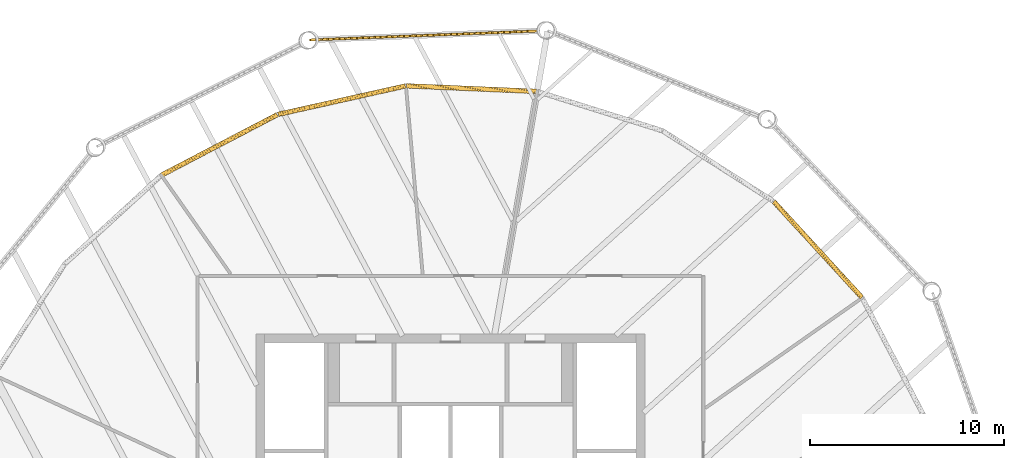
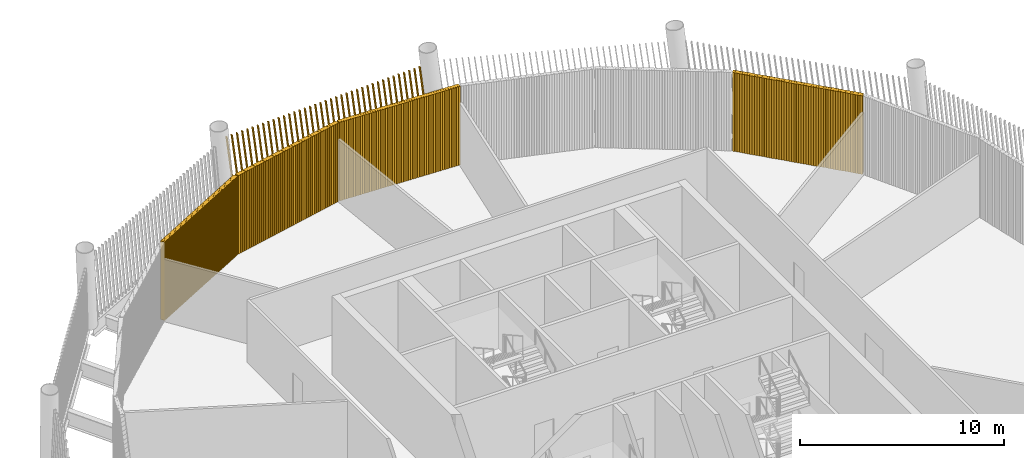
# One storey, part 17 of 21: 5 shading devices.
"""IFC4 building model written with IfcOpenShell, lengths in metres."""

from ifc_helpers import new_model, si_unit, direction, frame, frame_2d, origin, place, context, subcontext, project, spatial, rectangle, composite_profile, extrude, material, type_object, element, save


model = new_model("IFC4")

# Units and contexts
model_context = context("Model", 3, precision=1e-05, world=origin(), true_north=direction((0.0, 1.0)))
body_context = subcontext(model_context, "Body", "Model", "MODEL_VIEW")
ifc_project = project(units=[si_unit("LENGTHUNIT", "METRE"), si_unit("AREAUNIT", "SQUARE_METRE"), si_unit("VOLUMEUNIT", "CUBIC_METRE"), si_unit("PLANEANGLEUNIT", "RADIAN"), si_unit("MASSUNIT", "GRAM", prefix="KILO")], contexts=[model_context])

# Site, building, storey
site_placement = place(None, origin())
site = spatial("IfcSite", under=ifc_project, at=site_placement, CompositionType="ELEMENT")
building_placement = place(site_placement, origin())
building = spatial("IfcBuilding", under=site, at=building_placement, Name="Tarsis Ring Headquarters", CompositionType="ELEMENT")
storey_placement = place(building_placement, frame((0.0, 0.0, 398.60009765625)))
storey = spatial("IfcBuildingStorey", under=building, at=storey_placement, Name="L94", CompositionType="ELEMENT", Elevation=398.60009765625)

# Shading devices
ifc_material_1 = material(Name="Aluminium louvre", Category="aluminium")
shading_device_type_1 = type_object("IfcShadingDeviceType", Name="Plant louvre fin", PredefinedType="USERDEFINED", material=ifc_material_1)
shading_device_1_placement = place(storey_placement, frame((21.162841796875, 14.88232421875, 0.0), z_axis=(0.0, 0.0, 1.0), x_axis=(-0.676619083942, 0.736333587592, 0.0)))
element("IfcShadingDevice", 1, at=shading_device_1_placement, inside=storey, type_object=shading_device_type_1, Name="Louvre L94-21", ObjectType="Louvre", PredefinedType="USERDEFINED", context=body_context, shape_type="SweptSolid", body=[
    extrude(composite_profile([rectangle(XDim=0.1201171875, YDim=0.239990234375, at=frame_2d((0.076171875, 0.0), x_axis=(0.990268068742, 0.13917310096))), rectangle(XDim=0.1201171875, YDim=0.239990234375, at=frame_2d((0.202392578125, 0.0), x_axis=(0.990268068742, 0.13917310096))), rectangle(XDim=0.1201171875, YDim=0.239990234375, at=frame_2d((0.328857421875, 0.0), x_axis=(0.990268068742, 0.13917310096))), rectangle(XDim=0.1201171875, YDim=0.239990234375, at=frame_2d((0.455078125, 0.0), x_axis=(0.990268068742, 0.13917310096))), rectangle(XDim=0.1201171875, YDim=0.239990234375, at=frame_2d((0.58154296875, 0.0), x_axis=(0.990268068742, 0.13917310096))), rectangle(XDim=0.1201171875, YDim=0.239990234375, at=frame_2d((0.707763671875, 0.0), x_axis=(0.990268068742, 0.13917310096))), rectangle(XDim=0.1201171875, YDim=0.239990234375, at=frame_2d((0.834228515625, 0.0), x_axis=(0.990268068742, 0.13917310096))), rectangle(XDim=0.1201171875, YDim=0.239990234375, at=frame_2d((0.96044921875, 0.0), x_axis=(0.990268068742, 0.13917310096))), rectangle(XDim=0.1201171875, YDim=0.239990234375, at=frame_2d((1.0869140625, 0.0), x_axis=(0.990268068742, 0.13917310096))), rectangle(XDim=0.1201171875, YDim=0.239990234375, at=frame_2d((1.213134765625, 0.0), x_axis=(0.990268068742, 0.13917310096))), rectangle(XDim=0.1201171875, YDim=0.239990234375, at=frame_2d((1.33935546875, 0.0), x_axis=(0.990268068742, 0.13917310096))), rectangle(XDim=0.1201171875, YDim=0.239990234375, at=frame_2d((1.4658203125, 0.0), x_axis=(0.990268068742, 0.13917310096))), rectangle(XDim=0.1201171875, YDim=0.239990234375, at=frame_2d((1.592041015625, 0.0), x_axis=(0.990268068742, 0.13917310096))), rectangle(XDim=0.1201171875, YDim=0.239990234375, at=frame_2d((1.718505859375, 0.0), x_axis=(0.990268068742, 0.13917310096))), rectangle(XDim=0.1201171875, YDim=0.239990234375, at=frame_2d((1.8447265625, 0.0), x_axis=(0.990268068742, 0.13917310096))), rectangle(XDim=0.1201171875, YDim=0.239990234375, at=frame_2d((1.97119140625, 0.0), x_axis=(0.990268068742, 0.13917310096))), rectangle(XDim=0.1201171875, YDim=0.239990234375, at=frame_2d((2.097412109375, 0.0), x_axis=(0.990268068742, 0.13917310096))), rectangle(XDim=0.1201171875, YDim=0.239990234375, at=frame_2d((2.223876953125, 0.0), x_axis=(0.990268068742, 0.13917310096))), rectangle(XDim=0.1201171875, YDim=0.239990234375, at=frame_2d((2.35009765625, 0.0), x_axis=(0.990268068742, 0.13917310096))), rectangle(XDim=0.1201171875, YDim=0.239990234375, at=frame_2d((2.476318359375, 0.0), x_axis=(0.990268068742, 0.13917310096))), rectangle(XDim=0.1201171875, YDim=0.239990234375, at=frame_2d((2.602783203125, 0.0), x_axis=(0.990268068742, 0.13917310096))), rectangle(XDim=0.1201171875, YDim=0.239990234375, at=frame_2d((2.72900390625, 0.0), x_axis=(0.990268068742, 0.13917310096))), rectangle(XDim=0.1201171875, YDim=0.239990234375, at=frame_2d((2.85546875, 0.0), x_axis=(0.990268068742, 0.13917310096))), rectangle(XDim=0.1201171875, YDim=0.239990234375, at=frame_2d((2.981689453125, 0.0), x_axis=(0.990268068742, 0.13917310096))), rectangle(XDim=0.1201171875, YDim=0.239990234375, at=frame_2d((3.108154296875, 0.0), x_axis=(0.990268068742, 0.13917310096))), rectangle(XDim=0.1201171875, YDim=0.239990234375, at=frame_2d((3.234375, 0.0), x_axis=(0.990268068742, 0.13917310096))), rectangle(XDim=0.1201171875, YDim=0.239990234375, at=frame_2d((3.36083984375, 0.0), x_axis=(0.990268068742, 0.13917310096))), rectangle(XDim=0.1201171875, YDim=0.239990234375, at=frame_2d((3.487060546875, 0.0), x_axis=(0.990268068742, 0.13917310096))), rectangle(XDim=0.1201171875, YDim=0.239990234375, at=frame_2d((3.61328125, 0.0), x_axis=(0.990268068742, 0.13917310096))), rectangle(XDim=0.1201171875, YDim=0.239990234375, at=frame_2d((3.73974609375, 0.0), x_axis=(0.990268068742, 0.13917310096))), rectangle(XDim=0.1201171875, YDim=0.239990234375, at=frame_2d((3.865966796875, 0.0), x_axis=(0.990268068742, 0.13917310096))), rectangle(XDim=0.1201171875, YDim=0.239990234375, at=frame_2d((3.992431640625, 0.0), x_axis=(0.990268068742, 0.13917310096))), rectangle(XDim=0.1201171875, YDim=0.239990234375, at=frame_2d((4.11865234375, 0.0), x_axis=(0.990268068742, 0.13917310096))), rectangle(XDim=0.1201171875, YDim=0.239990234375, at=frame_2d((4.2451171875, 0.0), x_axis=(0.990268068742, 0.13917310096))), rectangle(XDim=0.1201171875, YDim=0.239990234375, at=frame_2d((4.371337890625, 0.0), x_axis=(0.990268068742, 0.13917310096))), rectangle(XDim=0.1201171875, YDim=0.239990234375, at=frame_2d((4.49755859375, 0.0), x_axis=(0.990268068742, 0.13917310096))), rectangle(XDim=0.1201171875, YDim=0.239990234375, at=frame_2d((4.6240234375, 0.0), x_axis=(0.990268068742, 0.13917310096))), rectangle(XDim=0.1201171875, YDim=0.239990234375, at=frame_2d((4.750244140625, 0.0), x_axis=(0.990268068742, 0.13917310096))), rectangle(XDim=0.1201171875, YDim=0.239990234375, at=frame_2d((4.876708984375, 0.0), x_axis=(0.990268068742, 0.13917310096))), rectangle(XDim=0.1201171875, YDim=0.239990234375, at=frame_2d((5.0029296875, 0.0), x_axis=(0.990268068742, 0.13917310096))), rectangle(XDim=0.1201171875, YDim=0.239990234375, at=frame_2d((5.12939453125, 0.0), x_axis=(0.990268068742, 0.13917310096))), rectangle(XDim=0.1201171875, YDim=0.239990234375, at=frame_2d((5.255615234375, 0.0), x_axis=(0.990268068742, 0.13917310096))), rectangle(XDim=0.1201171875, YDim=0.239990234375, at=frame_2d((5.382080078125, 0.0), x_axis=(0.990268068742, 0.13917310096))), rectangle(XDim=0.1201171875, YDim=0.239990234375, at=frame_2d((5.50830078125, 0.0), x_axis=(0.990268068742, 0.13917310096))), rectangle(XDim=0.1201171875, YDim=0.239990234375, at=frame_2d((5.634521484375, 0.0), x_axis=(0.990268068742, 0.13917310096))), rectangle(XDim=0.1201171875, YDim=0.239990234375, at=frame_2d((5.760986328125, 0.0), x_axis=(0.990268068742, 0.13917310096))), rectangle(XDim=0.1201171875, YDim=0.239990234375, at=frame_2d((5.88720703125, 0.0), x_axis=(0.990268068742, 0.13917310096))), rectangle(XDim=0.1201171875, YDim=0.239990234375, at=frame_2d((6.013671875, 0.0), x_axis=(0.990268068742, 0.13917310096))), rectangle(XDim=0.1201171875, YDim=0.239990234375, at=frame_2d((6.139892578125, 0.0), x_axis=(0.990268068742, 0.13917310096))), rectangle(XDim=0.1201171875, YDim=0.239990234375, at=frame_2d((6.266357421875, 0.0), x_axis=(0.990268068742, 0.13917310096))), rectangle(XDim=0.1201171875, YDim=0.239990234375, at=frame_2d((6.392578125, 0.0), x_axis=(0.990268068742, 0.13917310096))), rectangle(XDim=0.1201171875, YDim=0.239990234375, at=frame_2d((6.51904296875, 0.0), x_axis=(0.990268068742, 0.13917310096))), rectangle(XDim=0.1201171875, YDim=0.239990234375, at=frame_2d((6.645263671875, 0.0), x_axis=(0.990268068742, 0.13917310096)))]), origin(), (0.0, 0.0, 1.0), 4.699951171875),
])
shading_device_2_placement = place(storey_placement, frame((4.44091796875, 25.48779296875, 0.0), z_axis=(0.0, 0.0, 1.0), x_axis=(-0.999091965713, 0.042205433677, 0.0)))
element("IfcShadingDevice", 2, at=shading_device_2_placement, inside=storey, type_object=shading_device_type_1, Name="Louvre L94-24", ObjectType="Louvre", PredefinedType="USERDEFINED", context=body_context, shape_type="SweptSolid", body=[
    extrude(composite_profile([rectangle(XDim=0.1201171875, YDim=0.239990234375, at=frame_2d((0.076171875, 0.0), x_axis=(0.990268068742, 0.13917310096))), rectangle(XDim=0.1201171875, YDim=0.239990234375, at=frame_2d((0.202392578125, 0.0), x_axis=(0.990268068742, 0.13917310096))), rectangle(XDim=0.1201171875, YDim=0.239990234375, at=frame_2d((0.328857421875, 0.0), x_axis=(0.990268068742, 0.13917310096))), rectangle(XDim=0.1201171875, YDim=0.239990234375, at=frame_2d((0.455078125, 0.0), x_axis=(0.990268068742, 0.13917310096))), rectangle(XDim=0.1201171875, YDim=0.239990234375, at=frame_2d((0.58154296875, 0.0), x_axis=(0.990268068742, 0.13917310096))), rectangle(XDim=0.1201171875, YDim=0.239990234375, at=frame_2d((0.707763671875, 0.0), x_axis=(0.990268068742, 0.13917310096))), rectangle(XDim=0.1201171875, YDim=0.239990234375, at=frame_2d((0.834228515625, 0.0), x_axis=(0.990268068742, 0.13917310096))), rectangle(XDim=0.1201171875, YDim=0.239990234375, at=frame_2d((0.96044921875, 0.0), x_axis=(0.990268068742, 0.13917310096))), rectangle(XDim=0.1201171875, YDim=0.239990234375, at=frame_2d((1.0869140625, 0.0), x_axis=(0.990268068742, 0.13917310096))), rectangle(XDim=0.1201171875, YDim=0.239990234375, at=frame_2d((1.213134765625, 0.0), x_axis=(0.990268068742, 0.13917310096))), rectangle(XDim=0.1201171875, YDim=0.239990234375, at=frame_2d((1.339599609375, 0.0), x_axis=(0.990268068742, 0.13917310096))), rectangle(XDim=0.1201171875, YDim=0.239990234375, at=frame_2d((1.4658203125, 0.0), x_axis=(0.990268068742, 0.13917310096))), rectangle(XDim=0.1201171875, YDim=0.239990234375, at=frame_2d((1.59228515625, 0.0), x_axis=(0.990268068742, 0.13917310096))), rectangle(XDim=0.1201171875, YDim=0.239990234375, at=frame_2d((1.718505859375, 0.0), x_axis=(0.990268068742, 0.13917310096))), rectangle(XDim=0.1201171875, YDim=0.239990234375, at=frame_2d((1.8447265625, 0.0), x_axis=(0.990268068742, 0.13917310096))), rectangle(XDim=0.1201171875, YDim=0.239990234375, at=frame_2d((1.97119140625, 0.0), x_axis=(0.990268068742, 0.13917310096))), rectangle(XDim=0.1201171875, YDim=0.239990234375, at=frame_2d((2.097412109375, 0.0), x_axis=(0.990268068742, 0.13917310096))), rectangle(XDim=0.1201171875, YDim=0.239990234375, at=frame_2d((2.223876953125, 0.0), x_axis=(0.990268068742, 0.13917310096))), rectangle(XDim=0.1201171875, YDim=0.239990234375, at=frame_2d((2.35009765625, 0.0), x_axis=(0.990268068742, 0.13917310096))), rectangle(XDim=0.1201171875, YDim=0.239990234375, at=frame_2d((2.4765625, 0.0), x_axis=(0.990268068742, 0.13917310096))), rectangle(XDim=0.1201171875, YDim=0.239990234375, at=frame_2d((2.602783203125, 0.0), x_axis=(0.990268068742, 0.13917310096))), rectangle(XDim=0.1201171875, YDim=0.239990234375, at=frame_2d((2.729248046875, 0.0), x_axis=(0.990268068742, 0.13917310096))), rectangle(XDim=0.1201171875, YDim=0.239990234375, at=frame_2d((2.85546875, 0.0), x_axis=(0.990268068742, 0.13917310096))), rectangle(XDim=0.1201171875, YDim=0.239990234375, at=frame_2d((2.98193359375, 0.0), x_axis=(0.990268068742, 0.13917310096))), rectangle(XDim=0.1201171875, YDim=0.239990234375, at=frame_2d((3.108154296875, 0.0), x_axis=(0.990268068742, 0.13917310096))), rectangle(XDim=0.1201171875, YDim=0.239990234375, at=frame_2d((3.234619140625, 0.0), x_axis=(0.990268068742, 0.13917310096))), rectangle(XDim=0.1201171875, YDim=0.239990234375, at=frame_2d((3.36083984375, 0.0), x_axis=(0.990268068742, 0.13917310096))), rectangle(XDim=0.1201171875, YDim=0.239990234375, at=frame_2d((3.487060546875, 0.0), x_axis=(0.990268068742, 0.13917310096))), rectangle(XDim=0.1201171875, YDim=0.239990234375, at=frame_2d((3.613525390625, 0.0), x_axis=(0.990268068742, 0.13917310096))), rectangle(XDim=0.1201171875, YDim=0.239990234375, at=frame_2d((3.73974609375, 0.0), x_axis=(0.990268068742, 0.13917310096))), rectangle(XDim=0.1201171875, YDim=0.239990234375, at=frame_2d((3.8662109375, 0.0), x_axis=(0.990268068742, 0.13917310096))), rectangle(XDim=0.1201171875, YDim=0.239990234375, at=frame_2d((3.992431640625, 0.0), x_axis=(0.990268068742, 0.13917310096))), rectangle(XDim=0.1201171875, YDim=0.239990234375, at=frame_2d((4.118896484375, 0.0), x_axis=(0.990268068742, 0.13917310096))), rectangle(XDim=0.1201171875, YDim=0.239990234375, at=frame_2d((4.2451171875, 0.0), x_axis=(0.990268068742, 0.13917310096))), rectangle(XDim=0.1201171875, YDim=0.239990234375, at=frame_2d((4.37158203125, 0.0), x_axis=(0.990268068742, 0.13917310096))), rectangle(XDim=0.1201171875, YDim=0.239990234375, at=frame_2d((4.497802734375, 0.0), x_axis=(0.990268068742, 0.13917310096))), rectangle(XDim=0.1201171875, YDim=0.239990234375, at=frame_2d((4.624267578125, 0.0), x_axis=(0.990268068742, 0.13917310096))), rectangle(XDim=0.1201171875, YDim=0.239990234375, at=frame_2d((4.75048828125, 0.0), x_axis=(0.990268068742, 0.13917310096))), rectangle(XDim=0.1201171875, YDim=0.239990234375, at=frame_2d((4.876953125, 0.0), x_axis=(0.990268068742, 0.13917310096))), rectangle(XDim=0.1201171875, YDim=0.239990234375, at=frame_2d((5.003173828125, 0.0), x_axis=(0.990268068742, 0.13917310096))), rectangle(XDim=0.1201171875, YDim=0.239990234375, at=frame_2d((5.12939453125, 0.0), x_axis=(0.990268068742, 0.13917310096))), rectangle(XDim=0.1201171875, YDim=0.239990234375, at=frame_2d((5.255859375, 0.0), x_axis=(0.990268068742, 0.13917310096))), rectangle(XDim=0.1201171875, YDim=0.239990234375, at=frame_2d((5.382080078125, 0.0), x_axis=(0.990268068742, 0.13917310096))), rectangle(XDim=0.1201171875, YDim=0.239990234375, at=frame_2d((5.508544921875, 0.0), x_axis=(0.990268068742, 0.13917310096))), rectangle(XDim=0.1201171875, YDim=0.239990234375, at=frame_2d((5.634765625, 0.0), x_axis=(0.990268068742, 0.13917310096))), rectangle(XDim=0.1201171875, YDim=0.239990234375, at=frame_2d((5.76123046875, 0.0), x_axis=(0.990268068742, 0.13917310096))), rectangle(XDim=0.1201171875, YDim=0.239990234375, at=frame_2d((5.887451171875, 0.0), x_axis=(0.990268068742, 0.13917310096))), rectangle(XDim=0.1201171875, YDim=0.239990234375, at=frame_2d((6.013916015625, 0.0), x_axis=(0.990268068742, 0.13917310096))), rectangle(XDim=0.1201171875, YDim=0.239990234375, at=frame_2d((6.14013671875, 0.0), x_axis=(0.990268068742, 0.13917310096))), rectangle(XDim=0.1201171875, YDim=0.239990234375, at=frame_2d((6.2666015625, 0.0), x_axis=(0.990268068742, 0.13917310096))), rectangle(XDim=0.1201171875, YDim=0.239990234375, at=frame_2d((6.392822265625, 0.0), x_axis=(0.990268068742, 0.13917310096))), rectangle(XDim=0.1201171875, YDim=0.239990234375, at=frame_2d((6.519287109375, 0.0), x_axis=(0.990268068742, 0.13917310096))), rectangle(XDim=0.1201171875, YDim=0.239990234375, at=frame_2d((6.6455078125, 0.0), x_axis=(0.990268068742, 0.13917310096)))]), origin(), (0.0, 0.0, 1.0), 4.699951171875),
])
shading_device_3_placement = place(storey_placement, frame((-2.30712890625, 25.768798828125, 0.0), z_axis=(0.0, 0.0, 1.0), x_axis=(-0.975990701391, -0.217827176637, 0.0)))
element("IfcShadingDevice", 3, at=shading_device_3_placement, inside=storey, type_object=shading_device_type_1, Name="Louvre L94-25", ObjectType="Louvre", PredefinedType="USERDEFINED", context=body_context, shape_type="SweptSolid", body=[
    extrude(composite_profile([rectangle(XDim=0.1201171875, YDim=0.239990234375, at=frame_2d((0.076171875, 0.0), x_axis=(0.990268068742, 0.13917310096))), rectangle(XDim=0.1201171875, YDim=0.239990234375, at=frame_2d((0.202392578125, 0.0), x_axis=(0.990268068742, 0.13917310096))), rectangle(XDim=0.1201171875, YDim=0.239990234375, at=frame_2d((0.328857421875, 0.0), x_axis=(0.990268068742, 0.13917310096))), rectangle(XDim=0.1201171875, YDim=0.239990234375, at=frame_2d((0.455078125, 0.0), x_axis=(0.990268068742, 0.13917310096))), rectangle(XDim=0.1201171875, YDim=0.239990234375, at=frame_2d((0.58154296875, 0.0), x_axis=(0.990268068742, 0.13917310096))), rectangle(XDim=0.1201171875, YDim=0.239990234375, at=frame_2d((0.707763671875, 0.0), x_axis=(0.990268068742, 0.13917310096))), rectangle(XDim=0.1201171875, YDim=0.239990234375, at=frame_2d((0.834228515625, 0.0), x_axis=(0.990268068742, 0.13917310096))), rectangle(XDim=0.1201171875, YDim=0.239990234375, at=frame_2d((0.96044921875, 0.0), x_axis=(0.990268068742, 0.13917310096))), rectangle(XDim=0.1201171875, YDim=0.239990234375, at=frame_2d((1.0869140625, 0.0), x_axis=(0.990268068742, 0.13917310096))), rectangle(XDim=0.1201171875, YDim=0.239990234375, at=frame_2d((1.213134765625, 0.0), x_axis=(0.990268068742, 0.13917310096))), rectangle(XDim=0.1201171875, YDim=0.239990234375, at=frame_2d((1.33935546875, 0.0), x_axis=(0.990268068742, 0.13917310096))), rectangle(XDim=0.1201171875, YDim=0.239990234375, at=frame_2d((1.4658203125, 0.0), x_axis=(0.990268068742, 0.13917310096))), rectangle(XDim=0.1201171875, YDim=0.239990234375, at=frame_2d((1.592041015625, 0.0), x_axis=(0.990268068742, 0.13917310096))), rectangle(XDim=0.1201171875, YDim=0.239990234375, at=frame_2d((1.718505859375, 0.0), x_axis=(0.990268068742, 0.13917310096))), rectangle(XDim=0.1201171875, YDim=0.239990234375, at=frame_2d((1.8447265625, 0.0), x_axis=(0.990268068742, 0.13917310096))), rectangle(XDim=0.1201171875, YDim=0.239990234375, at=frame_2d((1.97119140625, 0.0), x_axis=(0.990268068742, 0.13917310096))), rectangle(XDim=0.1201171875, YDim=0.239990234375, at=frame_2d((2.097412109375, 0.0), x_axis=(0.990268068742, 0.13917310096))), rectangle(XDim=0.1201171875, YDim=0.239990234375, at=frame_2d((2.223876953125, 0.0), x_axis=(0.990268068742, 0.13917310096))), rectangle(XDim=0.1201171875, YDim=0.239990234375, at=frame_2d((2.35009765625, 0.0), x_axis=(0.990268068742, 0.13917310096))), rectangle(XDim=0.1201171875, YDim=0.239990234375, at=frame_2d((2.476318359375, 0.0), x_axis=(0.990268068742, 0.13917310096))), rectangle(XDim=0.1201171875, YDim=0.239990234375, at=frame_2d((2.602783203125, 0.0), x_axis=(0.990268068742, 0.13917310096))), rectangle(XDim=0.1201171875, YDim=0.239990234375, at=frame_2d((2.72900390625, 0.0), x_axis=(0.990268068742, 0.13917310096))), rectangle(XDim=0.1201171875, YDim=0.239990234375, at=frame_2d((2.85546875, 0.0), x_axis=(0.990268068742, 0.13917310096))), rectangle(XDim=0.1201171875, YDim=0.239990234375, at=frame_2d((2.981689453125, 0.0), x_axis=(0.990268068742, 0.13917310096))), rectangle(XDim=0.1201171875, YDim=0.239990234375, at=frame_2d((3.108154296875, 0.0), x_axis=(0.990268068742, 0.13917310096))), rectangle(XDim=0.1201171875, YDim=0.239990234375, at=frame_2d((3.234375, 0.0), x_axis=(0.990268068742, 0.13917310096))), rectangle(XDim=0.1201171875, YDim=0.239990234375, at=frame_2d((3.36083984375, 0.0), x_axis=(0.990268068742, 0.13917310096))), rectangle(XDim=0.1201171875, YDim=0.239990234375, at=frame_2d((3.487060546875, 0.0), x_axis=(0.990268068742, 0.13917310096))), rectangle(XDim=0.1201171875, YDim=0.239990234375, at=frame_2d((3.61328125, 0.0), x_axis=(0.990268068742, 0.13917310096))), rectangle(XDim=0.1201171875, YDim=0.239990234375, at=frame_2d((3.73974609375, 0.0), x_axis=(0.990268068742, 0.13917310096))), rectangle(XDim=0.1201171875, YDim=0.239990234375, at=frame_2d((3.865966796875, 0.0), x_axis=(0.990268068742, 0.13917310096))), rectangle(XDim=0.1201171875, YDim=0.239990234375, at=frame_2d((3.992431640625, 0.0), x_axis=(0.990268068742, 0.13917310096))), rectangle(XDim=0.1201171875, YDim=0.239990234375, at=frame_2d((4.11865234375, 0.0), x_axis=(0.990268068742, 0.13917310096))), rectangle(XDim=0.1201171875, YDim=0.239990234375, at=frame_2d((4.2451171875, 0.0), x_axis=(0.990268068742, 0.13917310096))), rectangle(XDim=0.1201171875, YDim=0.239990234375, at=frame_2d((4.371337890625, 0.0), x_axis=(0.990268068742, 0.13917310096))), rectangle(XDim=0.1201171875, YDim=0.239990234375, at=frame_2d((4.49755859375, 0.0), x_axis=(0.990268068742, 0.13917310096))), rectangle(XDim=0.1201171875, YDim=0.239990234375, at=frame_2d((4.6240234375, 0.0), x_axis=(0.990268068742, 0.13917310096))), rectangle(XDim=0.1201171875, YDim=0.239990234375, at=frame_2d((4.750244140625, 0.0), x_axis=(0.990268068742, 0.13917310096))), rectangle(XDim=0.1201171875, YDim=0.239990234375, at=frame_2d((4.876708984375, 0.0), x_axis=(0.990268068742, 0.13917310096))), rectangle(XDim=0.1201171875, YDim=0.239990234375, at=frame_2d((5.0029296875, 0.0), x_axis=(0.990268068742, 0.13917310096))), rectangle(XDim=0.1201171875, YDim=0.239990234375, at=frame_2d((5.12939453125, 0.0), x_axis=(0.990268068742, 0.13917310096))), rectangle(XDim=0.1201171875, YDim=0.239990234375, at=frame_2d((5.255615234375, 0.0), x_axis=(0.990268068742, 0.13917310096))), rectangle(XDim=0.1201171875, YDim=0.239990234375, at=frame_2d((5.382080078125, 0.0), x_axis=(0.990268068742, 0.13917310096))), rectangle(XDim=0.1201171875, YDim=0.239990234375, at=frame_2d((5.50830078125, 0.0), x_axis=(0.990268068742, 0.13917310096))), rectangle(XDim=0.1201171875, YDim=0.239990234375, at=frame_2d((5.634521484375, 0.0), x_axis=(0.990268068742, 0.13917310096))), rectangle(XDim=0.1201171875, YDim=0.239990234375, at=frame_2d((5.760986328125, 0.0), x_axis=(0.990268068742, 0.13917310096))), rectangle(XDim=0.1201171875, YDim=0.239990234375, at=frame_2d((5.88720703125, 0.0), x_axis=(0.990268068742, 0.13917310096))), rectangle(XDim=0.1201171875, YDim=0.239990234375, at=frame_2d((6.013671875, 0.0), x_axis=(0.990268068742, 0.13917310096))), rectangle(XDim=0.1201171875, YDim=0.239990234375, at=frame_2d((6.139892578125, 0.0), x_axis=(0.990268068742, 0.13917310096))), rectangle(XDim=0.1201171875, YDim=0.239990234375, at=frame_2d((6.266357421875, 0.0), x_axis=(0.990268068742, 0.13917310096))), rectangle(XDim=0.1201171875, YDim=0.239990234375, at=frame_2d((6.392578125, 0.0), x_axis=(0.990268068742, 0.13917310096))), rectangle(XDim=0.1201171875, YDim=0.239990234375, at=frame_2d((6.51904296875, 0.0), x_axis=(0.990268068742, 0.13917310096))), rectangle(XDim=0.1201171875, YDim=0.239990234375, at=frame_2d((6.645263671875, 0.0), x_axis=(0.990268068742, 0.13917310096)))]), origin(), (0.0, 0.0, 1.0), 4.699951171875),
])
shading_device_4_placement = place(storey_placement, frame((-8.89794921875, 24.29345703125, 0.0), z_axis=(0.0, 0.0, 1.0), x_axis=(-0.886382623225, -0.462969016745, 0.0)))
element("IfcShadingDevice", 4, at=shading_device_4_placement, inside=storey, type_object=shading_device_type_1, Name="Louvre L94-26", ObjectType="Louvre", PredefinedType="USERDEFINED", context=body_context, shape_type="SweptSolid", body=[
    extrude(composite_profile([rectangle(XDim=0.1201171875, YDim=0.239990234375, at=frame_2d((0.076171875, 0.0), x_axis=(0.990268068742, 0.13917310096))), rectangle(XDim=0.1201171875, YDim=0.239990234375, at=frame_2d((0.202392578125, 0.0), x_axis=(0.990268068742, 0.13917310096))), rectangle(XDim=0.1201171875, YDim=0.239990234375, at=frame_2d((0.328857421875, 0.0), x_axis=(0.990268068742, 0.13917310096))), rectangle(XDim=0.1201171875, YDim=0.239990234375, at=frame_2d((0.455078125, 0.0), x_axis=(0.990268068742, 0.13917310096))), rectangle(XDim=0.1201171875, YDim=0.239990234375, at=frame_2d((0.58154296875, 0.0), x_axis=(0.990268068742, 0.13917310096))), rectangle(XDim=0.1201171875, YDim=0.239990234375, at=frame_2d((0.707763671875, 0.0), x_axis=(0.990268068742, 0.13917310096))), rectangle(XDim=0.1201171875, YDim=0.239990234375, at=frame_2d((0.834228515625, 0.0), x_axis=(0.990268068742, 0.13917310096))), rectangle(XDim=0.1201171875, YDim=0.239990234375, at=frame_2d((0.96044921875, 0.0), x_axis=(0.990268068742, 0.13917310096))), rectangle(XDim=0.1201171875, YDim=0.239990234375, at=frame_2d((1.0869140625, 0.0), x_axis=(0.990268068742, 0.13917310096))), rectangle(XDim=0.1201171875, YDim=0.239990234375, at=frame_2d((1.213134765625, 0.0), x_axis=(0.990268068742, 0.13917310096))), rectangle(XDim=0.1201171875, YDim=0.239990234375, at=frame_2d((1.33935546875, 0.0), x_axis=(0.990268068742, 0.13917310096))), rectangle(XDim=0.1201171875, YDim=0.239990234375, at=frame_2d((1.4658203125, 0.0), x_axis=(0.990268068742, 0.13917310096))), rectangle(XDim=0.1201171875, YDim=0.239990234375, at=frame_2d((1.592041015625, 0.0), x_axis=(0.990268068742, 0.13917310096))), rectangle(XDim=0.1201171875, YDim=0.239990234375, at=frame_2d((1.718505859375, 0.0), x_axis=(0.990268068742, 0.13917310096))), rectangle(XDim=0.1201171875, YDim=0.239990234375, at=frame_2d((1.8447265625, 0.0), x_axis=(0.990268068742, 0.13917310096))), rectangle(XDim=0.1201171875, YDim=0.239990234375, at=frame_2d((1.97119140625, 0.0), x_axis=(0.990268068742, 0.13917310096))), rectangle(XDim=0.1201171875, YDim=0.239990234375, at=frame_2d((2.097412109375, 0.0), x_axis=(0.990268068742, 0.13917310096))), rectangle(XDim=0.1201171875, YDim=0.239990234375, at=frame_2d((2.223876953125, 0.0), x_axis=(0.990268068742, 0.13917310096))), rectangle(XDim=0.1201171875, YDim=0.239990234375, at=frame_2d((2.35009765625, 0.0), x_axis=(0.990268068742, 0.13917310096))), rectangle(XDim=0.1201171875, YDim=0.239990234375, at=frame_2d((2.476318359375, 0.0), x_axis=(0.990268068742, 0.13917310096))), rectangle(XDim=0.1201171875, YDim=0.239990234375, at=frame_2d((2.602783203125, 0.0), x_axis=(0.990268068742, 0.13917310096))), rectangle(XDim=0.1201171875, YDim=0.239990234375, at=frame_2d((2.72900390625, 0.0), x_axis=(0.990268068742, 0.13917310096))), rectangle(XDim=0.1201171875, YDim=0.239990234375, at=frame_2d((2.85546875, 0.0), x_axis=(0.990268068742, 0.13917310096))), rectangle(XDim=0.1201171875, YDim=0.239990234375, at=frame_2d((2.981689453125, 0.0), x_axis=(0.990268068742, 0.13917310096))), rectangle(XDim=0.1201171875, YDim=0.239990234375, at=frame_2d((3.108154296875, 0.0), x_axis=(0.990268068742, 0.13917310096))), rectangle(XDim=0.1201171875, YDim=0.239990234375, at=frame_2d((3.234375, 0.0), x_axis=(0.990268068742, 0.13917310096))), rectangle(XDim=0.1201171875, YDim=0.239990234375, at=frame_2d((3.36083984375, 0.0), x_axis=(0.990268068742, 0.13917310096))), rectangle(XDim=0.1201171875, YDim=0.239990234375, at=frame_2d((3.487060546875, 0.0), x_axis=(0.990268068742, 0.13917310096))), rectangle(XDim=0.1201171875, YDim=0.239990234375, at=frame_2d((3.61328125, 0.0), x_axis=(0.990268068742, 0.13917310096))), rectangle(XDim=0.1201171875, YDim=0.239990234375, at=frame_2d((3.73974609375, 0.0), x_axis=(0.990268068742, 0.13917310096))), rectangle(XDim=0.1201171875, YDim=0.239990234375, at=frame_2d((3.865966796875, 0.0), x_axis=(0.990268068742, 0.13917310096))), rectangle(XDim=0.1201171875, YDim=0.239990234375, at=frame_2d((3.992431640625, 0.0), x_axis=(0.990268068742, 0.13917310096))), rectangle(XDim=0.1201171875, YDim=0.239990234375, at=frame_2d((4.11865234375, 0.0), x_axis=(0.990268068742, 0.13917310096))), rectangle(XDim=0.1201171875, YDim=0.239990234375, at=frame_2d((4.2451171875, 0.0), x_axis=(0.990268068742, 0.13917310096))), rectangle(XDim=0.1201171875, YDim=0.239990234375, at=frame_2d((4.371337890625, 0.0), x_axis=(0.990268068742, 0.13917310096))), rectangle(XDim=0.1201171875, YDim=0.239990234375, at=frame_2d((4.49755859375, 0.0), x_axis=(0.990268068742, 0.13917310096))), rectangle(XDim=0.1201171875, YDim=0.239990234375, at=frame_2d((4.6240234375, 0.0), x_axis=(0.990268068742, 0.13917310096))), rectangle(XDim=0.1201171875, YDim=0.239990234375, at=frame_2d((4.750244140625, 0.0), x_axis=(0.990268068742, 0.13917310096))), rectangle(XDim=0.1201171875, YDim=0.239990234375, at=frame_2d((4.876708984375, 0.0), x_axis=(0.990268068742, 0.13917310096))), rectangle(XDim=0.1201171875, YDim=0.239990234375, at=frame_2d((5.0029296875, 0.0), x_axis=(0.990268068742, 0.13917310096))), rectangle(XDim=0.1201171875, YDim=0.239990234375, at=frame_2d((5.12939453125, 0.0), x_axis=(0.990268068742, 0.13917310096))), rectangle(XDim=0.1201171875, YDim=0.239990234375, at=frame_2d((5.255615234375, 0.0), x_axis=(0.990268068742, 0.13917310096))), rectangle(XDim=0.1201171875, YDim=0.239990234375, at=frame_2d((5.382080078125, 0.0), x_axis=(0.990268068742, 0.13917310096))), rectangle(XDim=0.1201171875, YDim=0.239990234375, at=frame_2d((5.50830078125, 0.0), x_axis=(0.990268068742, 0.13917310096))), rectangle(XDim=0.1201171875, YDim=0.239990234375, at=frame_2d((5.634521484375, 0.0), x_axis=(0.990268068742, 0.13917310096))), rectangle(XDim=0.1201171875, YDim=0.239990234375, at=frame_2d((5.760986328125, 0.0), x_axis=(0.990268068742, 0.13917310096))), rectangle(XDim=0.1201171875, YDim=0.239990234375, at=frame_2d((5.88720703125, 0.0), x_axis=(0.990268068742, 0.13917310096))), rectangle(XDim=0.1201171875, YDim=0.239990234375, at=frame_2d((6.013671875, 0.0), x_axis=(0.990268068742, 0.13917310096))), rectangle(XDim=0.1201171875, YDim=0.239990234375, at=frame_2d((6.139892578125, 0.0), x_axis=(0.990268068742, 0.13917310096))), rectangle(XDim=0.1201171875, YDim=0.239990234375, at=frame_2d((6.266357421875, 0.0), x_axis=(0.990268068742, 0.13917310096))), rectangle(XDim=0.1201171875, YDim=0.239990234375, at=frame_2d((6.392578125, 0.0), x_axis=(0.990268068742, 0.13917310096))), rectangle(XDim=0.1201171875, YDim=0.239990234375, at=frame_2d((6.51904296875, 0.0), x_axis=(0.990268068742, 0.13917310096))), rectangle(XDim=0.1201171875, YDim=0.239990234375, at=frame_2d((6.645263671875, 0.0), x_axis=(0.990268068742, 0.13917310096)))]), origin(), (0.0, 0.0, 1.0), 4.699951171875),
])
ifc_material_2 = material(Name="Terracotta baguette", Category="masonry")
shading_device_type_2 = type_object("IfcShadingDeviceType", Name="Terracotta baguette screen", PredefinedType="USERDEFINED", material=ifc_material_2)
shading_device_5_placement = place(storey_placement, frame((4.504638671875, 28.594482421875, 0.0), z_axis=(0.0, 0.0, 1.0), x_axis=(-0.999218682177, -0.039282923865, 0.0)))
element("IfcShadingDevice", 5, at=shading_device_5_placement, inside=storey, type_object=shading_device_type_2, Name="Baguette screen L94-09", ObjectType="Terracotta baguette screen", PredefinedType="USERDEFINED", context=body_context, shape_type="SweptSolid", body=[
    extrude(composite_profile([rectangle(XDim=0.06005859375, YDim=0.1201171875, at=frame_2d((0.030029296875, 0.0))), rectangle(XDim=0.06005859375, YDim=0.1201171875, at=frame_2d((0.33251953125, 0.0))), rectangle(XDim=0.06005859375, YDim=0.1201171875, at=frame_2d((0.634765625, 0.0))), rectangle(XDim=0.06005859375, YDim=0.1201171875, at=frame_2d((0.937255859375, 0.0))), rectangle(XDim=0.06005859375, YDim=0.1201171875, at=frame_2d((1.239501953125, 0.0))), rectangle(XDim=0.06005859375, YDim=0.1201171875, at=frame_2d((1.5419921875, 0.0))), rectangle(XDim=0.06005859375, YDim=0.1201171875, at=frame_2d((1.844482421875, 0.0))), rectangle(XDim=0.06005859375, YDim=0.1201171875, at=frame_2d((2.146728515625, 0.0))), rectangle(XDim=0.06005859375, YDim=0.1201171875, at=frame_2d((2.44921875, 0.0))), rectangle(XDim=0.06005859375, YDim=0.1201171875, at=frame_2d((2.751708984375, 0.0))), rectangle(XDim=0.06005859375, YDim=0.1201171875, at=frame_2d((3.053955078125, 0.0))), rectangle(XDim=0.06005859375, YDim=0.1201171875, at=frame_2d((3.3564453125, 0.0))), rectangle(XDim=0.06005859375, YDim=0.1201171875, at=frame_2d((3.65869140625, 0.0))), rectangle(XDim=0.06005859375, YDim=0.1201171875, at=frame_2d((3.961181640625, 0.0))), rectangle(XDim=0.06005859375, YDim=0.1201171875, at=frame_2d((4.263671875, 0.0))), rectangle(XDim=0.06005859375, YDim=0.1201171875, at=frame_2d((4.56591796875, 0.0))), rectangle(XDim=0.06005859375, YDim=0.1201171875, at=frame_2d((4.868408203125, 0.0))), rectangle(XDim=0.06005859375, YDim=0.1201171875, at=frame_2d((5.1708984375, 0.0))), rectangle(XDim=0.06005859375, YDim=0.1201171875, at=frame_2d((5.47314453125, 0.0))), rectangle(XDim=0.06005859375, YDim=0.1201171875, at=frame_2d((5.775634765625, 0.0))), rectangle(XDim=0.06005859375, YDim=0.1201171875, at=frame_2d((6.077880859375, 0.0))), rectangle(XDim=0.06005859375, YDim=0.1201171875, at=frame_2d((6.38037109375, 0.0))), rectangle(XDim=0.06005859375, YDim=0.1201171875, at=frame_2d((6.682861328125, 0.0))), rectangle(XDim=0.06005859375, YDim=0.1201171875, at=frame_2d((6.985107421875, 0.0))), rectangle(XDim=0.06005859375, YDim=0.1201171875, at=frame_2d((7.28759765625, 0.0))), rectangle(XDim=0.06005859375, YDim=0.1201171875, at=frame_2d((7.590087890625, 0.0))), rectangle(XDim=0.06005859375, YDim=0.1201171875, at=frame_2d((7.892333984375, 0.0))), rectangle(XDim=0.06005859375, YDim=0.1201171875, at=frame_2d((8.19482421875, 0.0))), rectangle(XDim=0.06005859375, YDim=0.1201171875, at=frame_2d((8.4970703125, 0.0))), rectangle(XDim=0.06005859375, YDim=0.1201171875, at=frame_2d((8.799560546875, 0.0))), rectangle(XDim=0.06005859375, YDim=0.1201171875, at=frame_2d((9.10205078125, 0.0))), rectangle(XDim=0.06005859375, YDim=0.1201171875, at=frame_2d((9.404296875, 0.0))), rectangle(XDim=0.06005859375, YDim=0.1201171875, at=frame_2d((9.706787109375, 0.0))), rectangle(XDim=0.06005859375, YDim=0.1201171875, at=frame_2d((10.00927734375, 0.0))), rectangle(XDim=0.06005859375, YDim=0.1201171875, at=frame_2d((10.3115234375, 0.0))), rectangle(XDim=0.06005859375, YDim=0.1201171875, at=frame_2d((10.614013671875, 0.0))), rectangle(XDim=0.06005859375, YDim=0.1201171875, at=frame_2d((10.916259765625, 0.0))), rectangle(XDim=0.06005859375, YDim=0.1201171875, at=frame_2d((11.21875, 0.0)))]), origin(), (0.124851262944, 0.001133062328, 0.992174822454), 4.1279296875),
])

save(model, "model.ifc")
